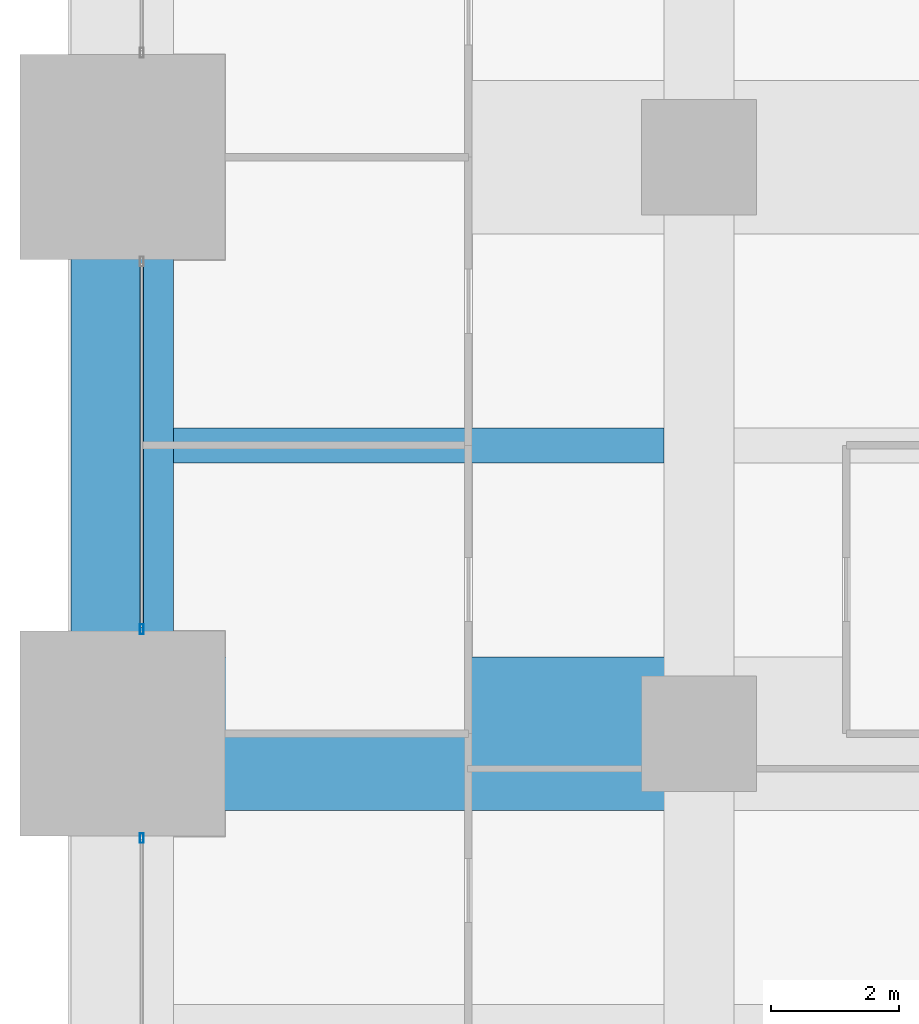
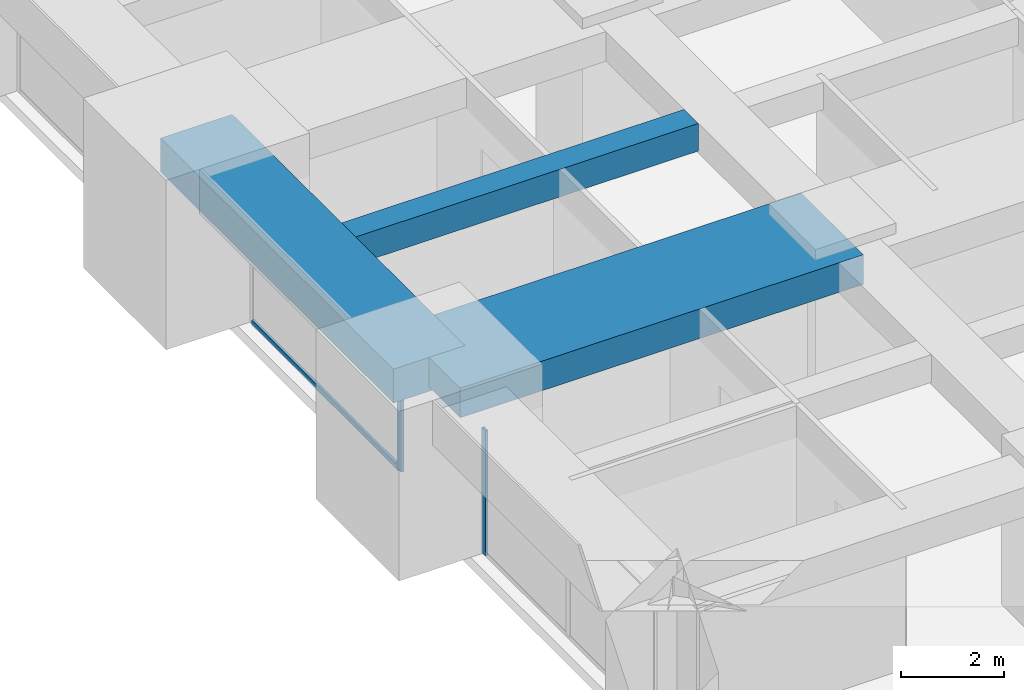
# One storey, part 10 of 36: 3 beams, 3 members, 2 elements without a shape of their own.
"""IFC4 building model written with IfcOpenShell, lengths in metres."""

from ifc_helpers import new_model, si_unit, direction, frame, origin, origin_2d, place, context, subcontext, project, spatial, rectangle, hollow_rectangle, extrude, material, material_profile, profile_set, type_object, element, aggregate, save


model = new_model("IFC4")

# Units and contexts
model_context = context("Model", 3, precision=1e-05, world=origin(), true_north=direction((0.0, 1.0)))
body_context = subcontext(model_context, "Body", "Model", "MODEL_VIEW")
ifc_project = project(units=[si_unit("LENGTHUNIT", "METRE"), si_unit("AREAUNIT", "SQUARE_METRE"), si_unit("VOLUMEUNIT", "CUBIC_METRE"), si_unit("PLANEANGLEUNIT", "RADIAN"), si_unit("MASSUNIT", "GRAM", prefix="KILO")], contexts=[model_context])

# Site, building, storey
site_placement = place(None, origin())
site = spatial("IfcSite", under=ifc_project, at=site_placement, CompositionType="ELEMENT")
building_placement = place(site_placement, origin())
building = spatial("IfcBuilding", under=site, at=building_placement, Name="Zorevar Civic Tower", CompositionType="ELEMENT")
storey_placement = place(building_placement, frame((0.0, 0.0, 166.199951171875)))
storey = spatial("IfcBuildingStorey", under=building, at=storey_placement, Name="L40", CompositionType="ELEMENT", Elevation=166.199951171875)

# Beams
ifc_material_1 = material(Name="Concrete C50/60", Category="concrete")
ifc_material_profile_1 = material_profile(ifc_material_1, rectangle(XDim=2.39990234375, YDim=0.699951171875, at=origin_2d()), Name="RC 2400x700")
ifc_profile_set_1 = profile_set([ifc_material_profile_1], Name="Concrete C50/60")
beam_type_1 = type_object("IfcBeamType", Name="Beam RC 2400x700", PredefinedType="BEAM", material=ifc_profile_set_1)
beam_1_placement = place(storey_placement, frame((0.0, 18.0, 3.400146484375), z_axis=(1.0, 0.0, 0.0), x_axis=(0.0, 1.0, 0.0)))
element("IfcBeam", 1, at=beam_1_placement, inside=storey, type_object=beam_type_1, Name="Girder L41", PredefinedType="BEAM", context=body_context, shape_type="SweptSolid", body=[
    extrude(rectangle(XDim=2.39990234375, YDim=0.699951171875, at=origin_2d()), origin(), (0.0, 0.0, 1.0), 9.0),
])
ifc_material_2 = material(Name="Concrete C50/60", Category="concrete")
ifc_material_profile_2 = material_profile(ifc_material_2, rectangle(XDim=0.550048828125, YDim=0.64990234375, at=origin_2d()), Name="RC 550x650")
ifc_profile_set_2 = profile_set([ifc_material_profile_2], Name="Concrete C50/60")
beam_type_2 = type_object("IfcBeamType", Name="Beam RC 550x650", PredefinedType="BEAM", material=ifc_profile_set_2)
beam_2_placement = place(storey_placement, frame((0.800048828125, 22.5, 3.425048828125), z_axis=(1.0, 0.0, 0.0), x_axis=(0.0, 1.0, 0.0)))
element("IfcBeam", 2, at=beam_2_placement, inside=storey, type_object=beam_type_2, Name="Secondary beam L41", PredefinedType="BEAM", context=body_context, shape_type="SweptSolid", body=[
    extrude(rectangle(XDim=0.550048828125, YDim=0.64990234375, at=origin_2d()), origin(), (0.0, 0.0, 1.0), 7.64990234375),
])

# Curtain wall, member
ifc_material_3 = material(Name="Dark grey solar-control glass in black aluminium frame", Category="aluminium")
curtain_wall_type = type_object("IfcCurtainWallType", Name="Curtain wall CW4 high zone", PredefinedType="NOTDEFINED", material=ifc_material_3)
curtain_wall_1_placement = place(storey_placement, origin())
curtain_wall_1 = element("IfcCurtainWall", 3, at=curtain_wall_1_placement, inside=storey, type_object=curtain_wall_type, Name="CW4 L40", PredefinedType="NOTDEFINED")
ifc_material_4 = material(Name="Aluminium, black anodised", Category="aluminium")
ifc_material_profile_3 = material_profile(ifc_material_4, hollow_rectangle(XDim=0.06005859375, YDim=0.14990234375, WallThickness=0.00390625, at=origin_2d()), Name="AL 150x60x4")
ifc_profile_set_3 = profile_set([ifc_material_profile_3], Name="Aluminium, black anodised")
member_type_1 = type_object("IfcMemberType", Name="CW4 mullion AL 150x60x4", PredefinedType="MULLION", material=ifc_profile_set_3)
member_1_placement = place(storey_placement, frame((0.300048828125, 16.3701171875, 0.0), z_axis=(0.0, 0.0, 1.0), x_axis=(-1.0, 0.0, 0.0)))
member_1 = element("IfcMember", 4, at=member_1_placement, type_object=member_type_1, Name="CW4 mullion 3", PredefinedType="MULLION", context=body_context, shape_type="SweptSolid", body=[
    extrude(hollow_rectangle(XDim=0.06005859375, YDim=0.14990234375, WallThickness=0.00390625, at=origin_2d()), origin(), (0.0, 0.0, 1.0), 2.949951171875),
])
aggregate(curtain_wall_1, [member_1])

# Curtain wall, members
curtain_wall_2_placement = place(storey_placement, origin())
curtain_wall_2 = element("IfcCurtainWall", 5, at=curtain_wall_2_placement, inside=storey, type_object=curtain_wall_type, Name="CW4 L40", PredefinedType="NOTDEFINED")
member_2_placement = place(storey_placement, frame((0.300048828125, 19.6298828125, 0.0), z_axis=(0.0, 0.0, 1.0), x_axis=(-1.0, 0.0, 0.0)))
member_2 = element("IfcMember", 6, at=member_2_placement, type_object=member_type_1, Name="CW4 mullion 1", PredefinedType="MULLION", context=body_context, shape_type="SweptSolid", body=[
    extrude(hollow_rectangle(XDim=0.06005859375, YDim=0.14990234375, WallThickness=0.00390625, at=origin_2d()), origin(), (0.0, 0.0, 1.0), 2.949951171875),
])
ifc_material_5 = material(Name="Aluminium, black anodised", Category="aluminium")
ifc_material_profile_4 = material_profile(ifc_material_5, hollow_rectangle(XDim=0.06005859375, YDim=0.1201171875, WallThickness=0.0029296875, at=origin_2d()), Name="AL 120x60x3")
ifc_profile_set_4 = profile_set([ifc_material_profile_4], Name="Aluminium, black anodised")
member_type_2 = type_object("IfcMemberType", Name="CW4 transom AL 120x60x3", PredefinedType="USERDEFINED", material=ifc_profile_set_4)
member_3_placement = place(storey_placement, frame((0.300048828125, 19.659912109375, 0.030029296875), z_axis=(0.0, 1.0, 0.0), x_axis=(-1.0, 0.0, 0.0)))
member_3 = element("IfcMember", 7, at=member_3_placement, type_object=member_type_2, Name="CW4 sill transom", ObjectType="TRANSOM", PredefinedType="USERDEFINED", context=body_context, shape_type="SweptSolid", body=[
    extrude(hollow_rectangle(XDim=0.06005859375, YDim=0.1201171875, WallThickness=0.0029296875, at=origin_2d()), origin(), (0.0, 0.0, 1.0), 5.68017578125),
])
aggregate(curtain_wall_2, [member_2, member_3])

# Beam
ifc_material_6 = material(Name="Concrete C50/60", Category="concrete")
ifc_material_profile_5 = material_profile(ifc_material_6, rectangle(XDim=1.60009765625, YDim=0.800048828125, at=origin_2d()), Name="RC 1600x800")
ifc_profile_set_5 = profile_set([ifc_material_profile_5], Name="Concrete C50/60")
beam_type_3 = type_object("IfcBeamType", Name="Edge beam RC 1600x800", PredefinedType="SPANDREL", material=ifc_profile_set_5)
beam_3_placement = place(storey_placement, frame((0.0, 18.0, 3.35009765625), z_axis=(0.0, 1.0, 0.0), x_axis=(-1.0, 0.0, 0.0)))
element("IfcBeam", 8, at=beam_3_placement, inside=storey, type_object=beam_type_3, Name="Edge beam L41", PredefinedType="SPANDREL", context=body_context, shape_type="SweptSolid", body=[
    extrude(rectangle(XDim=1.60009765625, YDim=0.800048828125, at=origin_2d()), origin(), (0.0, 0.0, 1.0), 9.0),
])

save(model, "model.ifc")
